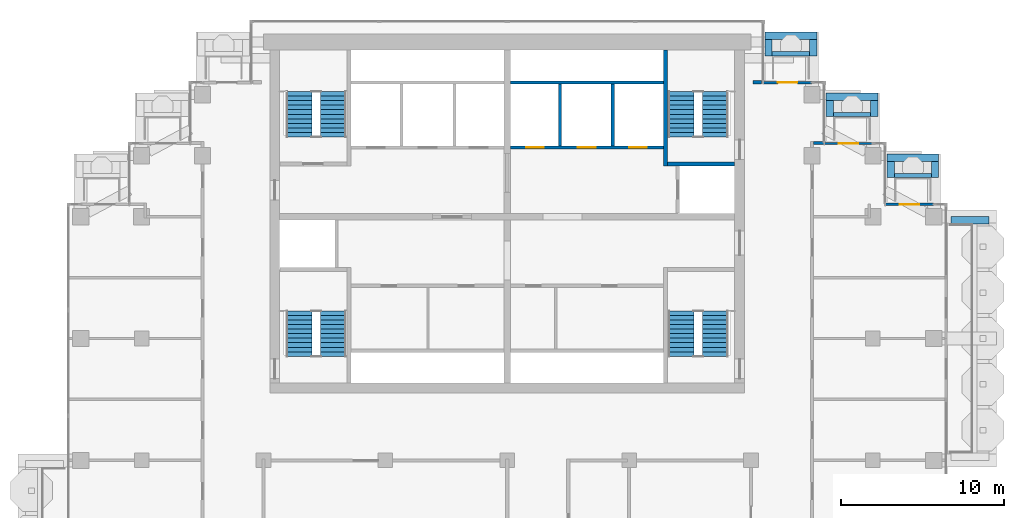
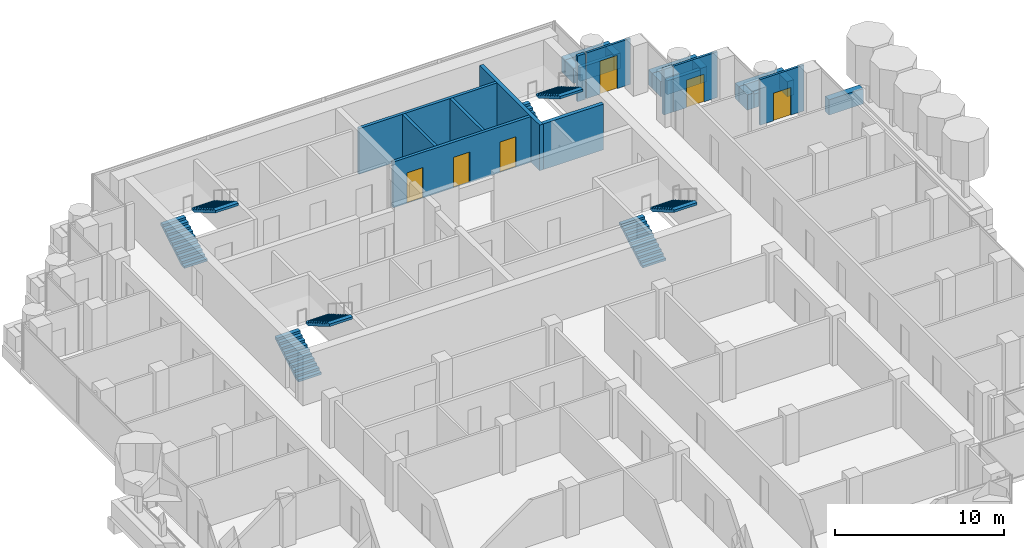
# One storey, part 15 of 19: 24 walls, 8 stair flights, 6 doors, 6 openings, 4 elements without a shape of their own.
"""IFC4 building model written with IfcOpenShell, lengths in metres."""

from ifc_helpers import new_model, si_unit, direction, frame, frame_2d, origin, place, context, subcontext, project, spatial, polyline, rectangle, outline, extrude, material, layer, layer_set, type_object, element, fill, aggregate, save


model = new_model("IFC4")

# Units and contexts
model_context = context("Model", 3, precision=1e-05, world=origin(), true_north=direction((0.0, 1.0)))
body_context = subcontext(model_context, "Body", "Model", "MODEL_VIEW")
ifc_project = project(units=[si_unit("LENGTHUNIT", "METRE"), si_unit("AREAUNIT", "SQUARE_METRE"), si_unit("VOLUMEUNIT", "CUBIC_METRE"), si_unit("PLANEANGLEUNIT", "RADIAN"), si_unit("MASSUNIT", "GRAM", prefix="KILO")], contexts=[model_context])

# Site, building, storey
site_placement = place(None, origin())
site = spatial("IfcSite", under=ifc_project, at=site_placement, CompositionType="ELEMENT")
building_placement = place(site_placement, origin())
building = spatial("IfcBuilding", under=site, at=building_placement, Name="Pilkhan Gate Tower", CompositionType="ELEMENT")
storey_placement = place(building_placement, frame((0.0, 0.0, 224.699951171875)))
storey = spatial("IfcBuildingStorey", under=building, at=storey_placement, Name="L58", CompositionType="ELEMENT", Elevation=224.699951171875)

# Walls
ifc_material_1 = material(Name="Concrete C40/50", Category="concrete")
ifc_layer_1 = layer(ifc_material_1, 0.25)
ifc_layer_set_1 = layer_set([ifc_layer_1], Name="Balcony planter BP250")
wall_type_1 = type_object("IfcWallType", Name="Balcony planter BP250", PredefinedType="USERDEFINED", material=ifc_layer_set_1)
wall_1_placement = place(storey_placement, frame((91.300048828125, 92.52490234375, 0.0), z_axis=(0.0, 0.0, 1.0), x_axis=(1.0, 0.0, 0.0)))
element("IfcWall", 1, at=wall_1_placement, inside=storey, type_object=wall_type_1, Name="Balcony planter L58 N", ObjectType="BALCONY PLANTER", PredefinedType="USERDEFINED", context=body_context, shape_type="SweptSolid", body=[
    extrude(rectangle(XDim=2.300048828125, YDim=0.25, at=frame_2d((1.14990234375, 0.0))), origin(), (0.0, 0.0, 1.0), 1.0),
])
for number, where, z_axis, x_axis, name in (
    (2, (95.070068359375, 88.77490234375, 0.0), (0.0, 0.0, 1.0), (1.0, 0.0, 0.0), "Balcony planter L58 N"),
    (3, (98.820068359375, 85.02490234375, 0.0), (0.0, 0.0, 1.0), (1.0, 0.0, 0.0), "Balcony planter L58 N"),
):
    element("IfcWall", number, at=place(storey_placement, frame(where, z_axis=z_axis, x_axis=x_axis)), inside=storey, type_object=wall_type_1, Name=name, ObjectType="BALCONY PLANTER", PredefinedType="USERDEFINED", context=body_context, shape_type="SweptSolid", body=[
        extrude(rectangle(XDim=2.280029296875, YDim=0.25, at=frame_2d((1.14013671875, 0.0))), origin(), (0.0, 0.0, 1.0), 1.0),
    ])
ifc_material_2 = material(Name="Board-marked Concrete C40/50", Category="concrete")
ifc_layer_2 = layer(ifc_material_2, 0.449951171875)
ifc_layer_set_2 = layer_set([ifc_layer_2], Name="Balcony planter lip BL450")
wall_type_2 = type_object("IfcWallType", Name="Balcony planter lip BL450", PredefinedType="USERDEFINED", material=ifc_layer_set_2)
wall_2_placement = place(storey_placement, frame((102.300048828125, 82.27490234375, 0.0), z_axis=(0.0, 0.0, 1.0), x_axis=(1.0, 0.0, 0.0)))
element("IfcWall", 4, at=wall_2_placement, inside=storey, type_object=wall_type_2, Name="Balcony planter L58 E", ObjectType="BALCONY PLANTER", PredefinedType="USERDEFINED", context=body_context, shape_type="SweptSolid", body=[
    extrude(rectangle(XDim=2.349853515625, YDim=0.449951171875, at=frame_2d((1.1748046875, 0.0))), origin(), (0.0, 0.0, 1.0), 1.10009765625),
])
wall_3_placement = place(storey_placement, frame((90.85009765625, 93.625, 0.0), z_axis=(0.0, 0.0, 1.0), x_axis=(1.0, 0.0, 0.0)))
element("IfcWall", 5, at=wall_3_placement, inside=storey, type_object=wall_type_2, Name="Balcony planter L58 N", ObjectType="BALCONY PLANTER", PredefinedType="USERDEFINED", context=body_context, shape_type="SweptSolid", body=[
    extrude(rectangle(XDim=3.199951171875, YDim=0.449951171875, at=frame_2d((1.60009765625, 0.0))), origin(), (0.0, 0.0, 1.0), 1.10009765625),
])
for number, where, z_axis, x_axis, name in (
    (6, (91.074951171875, 92.39990234375, 0.0), (0.0, 0.0, 1.0), (0.0, 1.0, 0.0), "Balcony planter L58 N"),
    (7, (93.824951171875, 92.39990234375, 0.0), (0.0, 0.0, 1.0), (0.0, 1.0, 0.0), "Balcony planter L58 N"),
):
    element("IfcWall", number, at=place(storey_placement, frame(where, z_axis=z_axis, x_axis=x_axis)), inside=storey, type_object=wall_type_2, Name=name, ObjectType="BALCONY PLANTER", PredefinedType="USERDEFINED", context=body_context, shape_type="SweptSolid", body=[
        extrude(rectangle(XDim=1.0, YDim=0.449951171875, at=frame_2d((0.5, 0.0))), origin(), (0.0, 0.0, 1.0), 1.10009765625),
    ])
wall_4_placement = place(storey_placement, frame((94.6201171875, 89.875, 0.0), z_axis=(0.0, 0.0, 1.0), x_axis=(1.0, 0.0, 0.0)))
element("IfcWall", 8, at=wall_4_placement, inside=storey, type_object=wall_type_2, Name="Balcony planter L58 N", ObjectType="BALCONY PLANTER", PredefinedType="USERDEFINED", context=body_context, shape_type="SweptSolid", body=[
    extrude(rectangle(XDim=3.179931640625, YDim=0.449951171875, at=frame_2d((1.58984375, 0.0))), origin(), (0.0, 0.0, 1.0), 1.10009765625),
])
for number, where, z_axis, x_axis, name in (
    (9, (94.844970703125, 88.64990234375, 0.0), (0.0, 0.0, 1.0), (0.0, 1.0, 0.0), "Balcony planter L58 N"),
    (10, (97.574951171875, 88.64990234375, 0.0), (0.0, 0.0, 1.0), (0.0, 1.0, 0.0), "Balcony planter L58 N"),
):
    element("IfcWall", number, at=place(storey_placement, frame(where, z_axis=z_axis, x_axis=x_axis)), inside=storey, type_object=wall_type_2, Name=name, ObjectType="BALCONY PLANTER", PredefinedType="USERDEFINED", context=body_context, shape_type="SweptSolid", body=[
        extrude(rectangle(XDim=1.0, YDim=0.449951171875, at=frame_2d((0.5, 0.0))), origin(), (0.0, 0.0, 1.0), 1.10009765625),
    ])
wall_5_placement = place(storey_placement, frame((98.3701171875, 86.125, 0.0), z_axis=(0.0, 0.0, 1.0), x_axis=(1.0, 0.0, 0.0)))
element("IfcWall", 11, at=wall_5_placement, inside=storey, type_object=wall_type_2, Name="Balcony planter L58 N", ObjectType="BALCONY PLANTER", PredefinedType="USERDEFINED", context=body_context, shape_type="SweptSolid", body=[
    extrude(rectangle(XDim=3.179931640625, YDim=0.449951171875, at=frame_2d((1.58984375, 0.0))), origin(), (0.0, 0.0, 1.0), 1.10009765625),
])
for number, where, z_axis, x_axis, name in (
    (12, (98.594970703125, 84.89990234375, 0.0), (0.0, 0.0, 1.0), (0.0, 1.0, 0.0), "Balcony planter L58 N"),
    (13, (101.324951171875, 84.89990234375, 0.0), (0.0, 0.0, 1.0), (0.0, 1.0, 0.0), "Balcony planter L58 N"),
):
    element("IfcWall", number, at=place(storey_placement, frame(where, z_axis=z_axis, x_axis=x_axis)), inside=storey, type_object=wall_type_2, Name=name, ObjectType="BALCONY PLANTER", PredefinedType="USERDEFINED", context=body_context, shape_type="SweptSolid", body=[
        extrude(rectangle(XDim=1.0, YDim=0.449951171875, at=frame_2d((0.5, 0.0))), origin(), (0.0, 0.0, 1.0), 1.10009765625),
    ])
ifc_material_3 = material(Name="Dense blockwork", Category="masonry")
ifc_layer_3 = layer(ifc_material_3, 0.199951171875)
ifc_layer_set_3 = layer_set([ifc_layer_3], Name="Corridor wall FW200")
wall_type_3 = type_object("IfcWallType", Name="Corridor wall FW200", PredefinedType="PARTITIONING", material=ifc_layer_set_3)
wall_6_placement = place(storey_placement, frame((93.85009765625, 87.030029296875, 0.0), z_axis=(0.0, 0.0, 1.0), x_axis=(1.0, 0.0, 0.0)))
element("IfcWall", 14, at=wall_6_placement, inside=storey, type_object=wall_type_3, Name="Partition L58", PredefinedType="PARTITIONING", context=body_context, shape_type="SweptSolid", body=[
    extrude(rectangle(XDim=0.639892578125, YDim=0.199951171875, at=frame_2d((0.31982421875, 0.0))), origin(), (0.0, 0.0, 1.0), 3.300048828125),
])
wall_7_placement = place(storey_placement, frame((90.1201171875, 90.764892578125, 0.0), z_axis=(0.0, 0.0, 1.0), x_axis=(1.0, 0.0, 0.0)))
element("IfcWall", 15, at=wall_7_placement, inside=storey, type_object=wall_type_3, Name="Partition L58", PredefinedType="PARTITIONING", context=body_context, shape_type="SweptSolid", body=[
    extrude(rectangle(XDim=0.52490234375, YDim=0.199951171875, at=frame_2d((0.262451171875, 0.0))), origin(), (0.0, 0.0, 1.0), 3.300048828125),
])

# Wall, opening, door
ifc_material_4 = material(Name="Pale anodised aluminium, clear laminated glazing", Category="aluminium")
ifc_layer_4 = layer(ifc_material_4, 0.14990234375)
ifc_layer_set_4 = layer_set([ifc_layer_4], Name="Facade infill wall IW150")
wall_type_4 = type_object("IfcWallType", Name="Facade infill wall IW150", PredefinedType="SOLIDWALL", material=ifc_layer_set_4)
wall_8_placement = place(storey_placement, frame((98.25, 83.25, 0.0), z_axis=(0.0, 0.0, 1.0), x_axis=(1.0, 0.0, 0.0)))
wall_8 = element("IfcWall", 16, at=wall_8_placement, inside=storey, type_object=wall_type_4, Name="Infill wall L58 N", PredefinedType="SOLIDWALL", context=body_context, shape_type="SweptSolid", body=[
    extrude(rectangle(XDim=3.0, YDim=0.14990234375, at=frame_2d((1.5, 0.0))), origin(), (0.0, 0.0, 1.0), 3.300048828125),
])
opening_1_placement = place(wall_8_placement, frame((0.89990234375, 0.0, 0.0)))
opening_1 = element("IfcOpeningElement", 17, at=opening_1_placement, cuts=wall_8, Name="Opening D1L", PredefinedType="OPENING", context=body_context, shape_type="SweptSolid", body=[
    extrude(rectangle(XDim=1.199951171875, YDim=2.0, at=frame_2d((0.60009765625, 1.0))), frame((0.0, 0.0849609375, 0.0), z_axis=(0.0, -1.0, 0.0), x_axis=(1.0, 0.0, 0.0)), (0.0, 0.0, 1.0), 0.169921875),
])
ifc_material_5 = material(Name="Pale anodised aluminium, clear glazing", Category="aluminium")
door_type_1 = type_object("IfcDoorType", Name="Balcony door D1L 1200x2000", OperationType="SINGLE_SWING_LEFT", PredefinedType="DOOR", material=ifc_material_5)
door_1_placement = place(opening_1_placement, origin())
door_1 = element("IfcDoor", 18, at=door_1_placement, inside=storey, type_object=door_type_1, Name="Balcony door L58", OperationType="SINGLE_SWING_LEFT", OverallHeight=2.0, OverallWidth=1.199951171875, PredefinedType="DOOR", context=body_context, shape_type="SweptSolid", body=[
    extrude(rectangle(XDim=1.199951171875, YDim=2.0, at=frame_2d((0.60009765625, 1.0))), frame((0.0, 0.02490234375, 0.0), z_axis=(0.0, -1.0, 0.0), x_axis=(1.0, 0.0, 0.0)), (0.0, 0.0, 1.0), 0.050048828125),
])
fill(opening_1, door_1)

wall_9_placement = place(storey_placement, frame((94.5, 87.0, 0.0), z_axis=(0.0, 0.0, 1.0), x_axis=(1.0, 0.0, 0.0)))
wall_9 = element("IfcWall", 19, at=wall_9_placement, inside=storey, type_object=wall_type_4, Name="Infill wall L58 N", PredefinedType="SOLIDWALL", context=body_context, shape_type="SweptSolid", body=[
    extrude(rectangle(XDim=3.0, YDim=0.14990234375, at=frame_2d((1.5, 0.0))), origin(), (0.0, 0.0, 1.0), 3.300048828125),
])
opening_2_placement = place(wall_9_placement, frame((0.89990234375, 0.0, 0.0)))
opening_2 = element("IfcOpeningElement", 20, at=opening_2_placement, cuts=wall_9, Name="Opening D1L", PredefinedType="OPENING", context=body_context, shape_type="SweptSolid", body=[
    extrude(rectangle(XDim=1.199951171875, YDim=2.0, at=frame_2d((0.60009765625, 1.0))), frame((0.0, 0.0849609375, 0.0), z_axis=(0.0, -1.0, 0.0), x_axis=(1.0, 0.0, 0.0)), (0.0, 0.0, 1.0), 0.169921875),
])
door_2_placement = place(opening_2_placement, origin())
door_2 = element("IfcDoor", 21, at=door_2_placement, inside=storey, type_object=door_type_1, Name="Balcony door L58", OperationType="SINGLE_SWING_LEFT", OverallHeight=2.0, OverallWidth=1.199951171875, PredefinedType="DOOR", context=body_context, shape_type="SweptSolid", body=[
    extrude(rectangle(XDim=1.199951171875, YDim=2.0, at=frame_2d((0.60009765625, 1.0))), frame((0.0, 0.02490234375, 0.0), z_axis=(0.0, -1.0, 0.0), x_axis=(1.0, 0.0, 0.0)), (0.0, 0.0, 1.0), 0.050048828125),
])
fill(opening_2, door_2)

wall_10_placement = place(storey_placement, frame((90.75, 90.75, 0.0), z_axis=(0.0, 0.0, 1.0), x_axis=(1.0, 0.0, 0.0)))
wall_10 = element("IfcWall", 22, at=wall_10_placement, inside=storey, type_object=wall_type_4, Name="Infill wall L58 N", PredefinedType="SOLIDWALL", context=body_context, shape_type="SweptSolid", body=[
    extrude(rectangle(XDim=3.0, YDim=0.14990234375, at=frame_2d((1.5, 0.0))), origin(), (0.0, 0.0, 1.0), 3.300048828125),
])
opening_3_placement = place(wall_10_placement, frame((0.89990234375, 0.0, 0.0)))
opening_3 = element("IfcOpeningElement", 23, at=opening_3_placement, cuts=wall_10, Name="Opening D1", PredefinedType="OPENING", context=body_context, shape_type="SweptSolid", body=[
    extrude(rectangle(XDim=1.199951171875, YDim=2.39990234375, at=frame_2d((0.60009765625, 1.199951171875))), frame((0.0, 0.0849609375, 0.0), z_axis=(0.0, -1.0, 0.0), x_axis=(1.0, 0.0, 0.0)), (0.0, 0.0, 1.0), 0.169921875),
])
door_type_2 = type_object("IfcDoorType", Name="Balcony door D1 1200x2400", OperationType="SINGLE_SWING_LEFT", PredefinedType="DOOR", material=ifc_material_5)
door_3_placement = place(opening_3_placement, origin())
door_3 = element("IfcDoor", 24, at=door_3_placement, inside=storey, type_object=door_type_2, Name="Balcony door L58", OperationType="SINGLE_SWING_LEFT", OverallHeight=2.39990234375, OverallWidth=1.199951171875, PredefinedType="DOOR", context=body_context, shape_type="SweptSolid", body=[
    extrude(rectangle(XDim=1.199951171875, YDim=2.39990234375, at=frame_2d((0.60009765625, 1.199951171875))), frame((0.0, 0.02490234375, 0.0), z_axis=(0.0, -1.0, 0.0), x_axis=(1.0, 0.0, 0.0)), (0.0, 0.0, 1.0), 0.050048828125),
])
fill(opening_3, door_3)

# Wall, openings, doors
ifc_material_6 = material(Name="Reinforced blockwork shaft wall, 120 minute fire resisting", Category="masonry")
ifc_layer_5 = layer(ifc_material_6, 0.199951171875)
ifc_layer_set_5 = layer_set([ifc_layer_5], Name="Shaft wall SW200")
wall_type_5 = type_object("IfcWallType", Name="Shaft wall SW200", PredefinedType="PARTITIONING", material=ifc_layer_set_5)
wall_11_placement = place(storey_placement, frame((75.2099609375, 86.75, 0.0), z_axis=(0.0, 0.0, 1.0), x_axis=(1.0, 0.0, 0.0)))
wall_11 = element("IfcWall", 25, at=wall_11_placement, inside=storey, type_object=wall_type_5, Name="Partition L58", PredefinedType="PARTITIONING", context=body_context, shape_type="SweptSolid", body=[
    extrude(rectangle(XDim=9.4150390625, YDim=0.199951171875, at=frame_2d((4.70751953125, 0.0))), origin(), (0.0, 0.0, 1.0), 3.300048828125),
])
opening_4_placement = place(wall_11_placement, frame((0.949951171875, 0.0, 0.0)))
opening_4 = element("IfcOpeningElement", 26, at=opening_4_placement, cuts=wall_11, Name="Opening LD", PredefinedType="OPENING", context=body_context, shape_type="SweptSolid", body=[
    extrude(rectangle(XDim=1.10009765625, YDim=2.199951171875, at=frame_2d((0.550048828125, 1.10009765625))), frame((0.0, 0.10986328125, 0.0), z_axis=(0.0, -1.0, 0.0), x_axis=(1.0, 0.0, 0.0)), (0.0, 0.0, 1.0), 0.219970703125),
])
opening_5_placement = place(wall_11_placement, frame((4.139892578125, 0.0, 0.0)))
opening_5 = element("IfcOpeningElement", 27, at=opening_5_placement, cuts=wall_11, Name="Opening LD", PredefinedType="OPENING", context=body_context, shape_type="SweptSolid", body=[
    extrude(rectangle(XDim=1.10009765625, YDim=2.199951171875, at=frame_2d((0.550048828125, 1.10009765625))), frame((0.0, 0.10986328125, 0.0), z_axis=(0.0, -1.0, 0.0), x_axis=(1.0, 0.0, 0.0)), (0.0, 0.0, 1.0), 0.219970703125),
])
opening_6_placement = place(wall_11_placement, frame((7.2900390625, 0.0, 0.0)))
opening_6 = element("IfcOpeningElement", 28, at=opening_6_placement, cuts=wall_11, Name="Opening LD", PredefinedType="OPENING", context=body_context, shape_type="SweptSolid", body=[
    extrude(rectangle(XDim=1.10009765625, YDim=2.199951171875, at=frame_2d((0.550048828125, 1.10009765625))), frame((0.0, 0.10986328125, 0.0), z_axis=(0.0, -1.0, 0.0), x_axis=(1.0, 0.0, 0.0)), (0.0, 0.0, 1.0), 0.219970703125),
])
ifc_material_7 = material(Name="Stainless steel centre-opening landing door, 120 minute fire resisting", Category="steel")
door_type_3 = type_object("IfcDoorType", Name="Lift landing door LD 1100x2200", OperationType="DOUBLE_DOOR_SLIDING", PredefinedType="DOOR", material=ifc_material_7)
door_4_placement = place(opening_4_placement, origin())
door_4 = element("IfcDoor", 29, at=door_4_placement, inside=storey, type_object=door_type_3, Name="Landing door HR1", OperationType="DOUBLE_DOOR_SLIDING", OverallHeight=2.199951171875, OverallWidth=1.10009765625, PredefinedType="DOOR", context=body_context, shape_type="SweptSolid", body=[
    extrude(rectangle(XDim=1.10009765625, YDim=2.199951171875, at=frame_2d((0.550048828125, 1.10009765625))), frame((0.0, 0.02490234375, 0.0), z_axis=(0.0, -1.0, 0.0), x_axis=(1.0, 0.0, 0.0)), (0.0, 0.0, 1.0), 0.050048828125),
])
fill(opening_4, door_4)
door_5_placement = place(opening_5_placement, origin())
door_5 = element("IfcDoor", 30, at=door_5_placement, inside=storey, type_object=door_type_3, Name="Landing door HR2", OperationType="DOUBLE_DOOR_SLIDING", OverallHeight=2.199951171875, OverallWidth=1.10009765625, PredefinedType="DOOR", context=body_context, shape_type="SweptSolid", body=[
    extrude(rectangle(XDim=1.10009765625, YDim=2.199951171875, at=frame_2d((0.550048828125, 1.10009765625))), frame((0.0, 0.02490234375, 0.0), z_axis=(0.0, -1.0, 0.0), x_axis=(1.0, 0.0, 0.0)), (0.0, 0.0, 1.0), 0.050048828125),
])
fill(opening_5, door_5)
door_6_placement = place(opening_6_placement, origin())
door_6 = element("IfcDoor", 31, at=door_6_placement, inside=storey, type_object=door_type_3, Name="Landing door HR3", OperationType="DOUBLE_DOOR_SLIDING", OverallHeight=2.199951171875, OverallWidth=1.10009765625, PredefinedType="DOOR", context=body_context, shape_type="SweptSolid", body=[
    extrude(rectangle(XDim=1.10009765625, YDim=2.199951171875, at=frame_2d((0.550048828125, 1.10009765625))), frame((0.0, 0.02490234375, 0.0), z_axis=(0.0, -1.0, 0.0), x_axis=(1.0, 0.0, 0.0)), (0.0, 0.0, 1.0), 0.050048828125),
])
fill(opening_6, door_6)

# Walls
wall_12_placement = place(storey_placement, frame((75.2099609375, 90.75, 0.0), z_axis=(0.0, 0.0, 1.0), x_axis=(1.0, 0.0, 0.0)))
element("IfcWall", 32, at=wall_12_placement, inside=storey, type_object=wall_type_5, Name="Partition L58", PredefinedType="PARTITIONING", context=body_context, shape_type="SweptSolid", body=[
    extrude(rectangle(XDim=9.4150390625, YDim=0.199951171875, at=frame_2d((4.70751953125, 0.0))), origin(), (0.0, 0.0, 1.0), 3.300048828125),
])
for number, where, z_axis, x_axis, name in (
    (33, (78.25, 86.85009765625, 0.0), (0.0, 0.0, 1.0), (0.0, 1.0, 0.0), "Partition L58"),
    (34, (81.5, 86.85009765625, 0.0), (0.0, 0.0, 1.0), (0.0, 1.0, 0.0), "Partition L58"),
):
    element("IfcWall", number, at=place(storey_placement, frame(where, z_axis=z_axis, x_axis=x_axis)), inside=storey, type_object=wall_type_5, Name=name, PredefinedType="PARTITIONING", context=body_context, shape_type="SweptSolid", body=[
        extrude(rectangle(XDim=3.7998046875, YDim=0.199951171875, at=frame_2d((1.89990234375, 0.0))), origin(), (0.0, 0.0, 1.0), 3.300048828125),
    ])
ifc_material_8 = material(Name="Reinforced blockwork, 120 minute fire resisting", Category="masonry")
ifc_layer_6 = layer(ifc_material_8, 0.25)
ifc_layer_set_6 = layer_set([ifc_layer_6], Name="Stair enclosure wall SE250")
wall_type_6 = type_object("IfcWallType", Name="Stair enclosure wall SE250", PredefinedType="PARTITIONING", material=ifc_layer_set_6)
wall_13_placement = place(storey_placement, frame((84.875, 85.75, 0.0), z_axis=(0.0, 0.0, 1.0), x_axis=(1.0, 0.0, 0.0)))
element("IfcWall", 35, at=wall_13_placement, inside=storey, type_object=wall_type_6, Name="Partition L58", PredefinedType="PARTITIONING", context=body_context, shape_type="SweptSolid", body=[
    extrude(rectangle(XDim=4.114990234375, YDim=0.25, at=frame_2d((2.0576171875, 0.0))), origin(), (0.0, 0.0, 1.0), 3.300048828125),
])
wall_14_placement = place(storey_placement, frame((84.75, 85.625, 0.0), z_axis=(0.0, 0.0, 1.0), x_axis=(0.0, 1.0, 0.0)))
element("IfcWall", 36, at=wall_14_placement, inside=storey, type_object=wall_type_6, Name="Partition L58", PredefinedType="PARTITIONING", context=body_context, shape_type="SweptSolid", body=[
    extrude(rectangle(XDim=7.114990234375, YDim=0.25, at=frame_2d((3.5576171875, 0.0))), origin(), (0.0, 0.0, 1.0), 3.300048828125),
])

# Stair, stair flights
ifc_material_9 = material(Name="Concrete C40/50 precast", Category="concrete")
stair_type_1 = type_object("IfcStairType", Name="Stair ST1 164x280", PredefinedType="HALF_TURN_STAIR", material=ifc_material_9)
stair_1_placement = place(storey_placement, origin())
stair_1 = element("IfcStair", 37, at=stair_1_placement, inside=storey, type_object=stair_type_1, Name="Stair ST1 L58", PredefinedType="HALF_TURN_STAIR")
stair_flight_type_1 = type_object("IfcStairFlightType", Name="Stair flight ST1 164x280x11", PredefinedType="STRAIGHT", material=ifc_material_9)
stair_flight_1_placement = place(storey_placement, frame((85.68994140625, 73.89990234375, 0.0), z_axis=(0.0, 0.0, 1.0), x_axis=(0.0, 1.0, 0.0)))
stair_flight_1 = element("IfcStairFlight", 38, at=stair_flight_1_placement, type_object=stair_flight_type_1, Name="ST1 flight 1", NumberOfRisers=11, NumberOfTreads=10, PredefinedType="STRAIGHT", RiserHeight=0.163636364, TreadLength=0.28, context=body_context, shape_type="SweptSolid", body=[
    extrude(outline(polyline([(0.0, 0.0), (0.0, 0.16357421875), (0.280029296875, 0.16357421875), (0.280029296875, 0.327392578125), (0.56005859375, 0.327392578125), (0.56005859375, 0.490966796875), (0.840087890625, 0.490966796875), (0.840087890625, 0.654541015625), (1.1201171875, 0.654541015625), (1.1201171875, 0.818115234375), (1.39990234375, 0.818115234375), (1.39990234375, 0.98193359375), (1.679931640625, 0.98193359375), (1.679931640625, 1.1455078125), (1.9599609375, 1.1455078125), (1.9599609375, 1.30908203125), (2.239990234375, 1.30908203125), (2.239990234375, 1.47265625), (2.52001953125, 1.47265625), (2.52001953125, 1.636474609375), (2.800048828125, 1.636474609375), (2.800048828125, 1.800048828125), (2.800048828125, 1.462646484375), (0.297119140625, 0.0), (0.0, 0.0)])), frame((0.0, 0.7900390625, 0.0), z_axis=(0.0, -1.0, 0.0), x_axis=(1.0, 0.0, 0.0)), (0.0, 0.0, 1.0), 1.580078125),
])
stair_flight_2_placement = place(storey_placement, frame((87.81005859375, 76.699951171875, 1.800048828125), z_axis=(0.0, 0.0, 1.0), x_axis=(0.0, -1.0, 0.0)))
stair_flight_2 = element("IfcStairFlight", 39, at=stair_flight_2_placement, type_object=stair_flight_type_1, Name="ST1 flight 2", NumberOfRisers=11, NumberOfTreads=10, PredefinedType="STRAIGHT", RiserHeight=0.163636364, TreadLength=0.28, context=body_context, shape_type="SweptSolid", body=[
    extrude(outline(polyline([(0.0, 0.0), (0.0, 0.16357421875), (0.280029296875, 0.16357421875), (0.280029296875, 0.327392578125), (0.56005859375, 0.327392578125), (0.56005859375, 0.490966796875), (0.840087890625, 0.490966796875), (0.840087890625, 0.654541015625), (1.1201171875, 0.654541015625), (1.1201171875, 0.818115234375), (1.39990234375, 0.818115234375), (1.39990234375, 0.98193359375), (1.679931640625, 0.98193359375), (1.679931640625, 1.1455078125), (1.9599609375, 1.1455078125), (1.9599609375, 1.30908203125), (2.239990234375, 1.30908203125), (2.239990234375, 1.47265625), (2.52001953125, 1.47265625), (2.52001953125, 1.636474609375), (2.800048828125, 1.636474609375), (2.800048828125, 1.800048828125), (2.800048828125, 1.462646484375), (0.297119140625, 0.0), (0.0, 0.0)])), frame((0.0, 0.7900390625, 0.0), z_axis=(0.0, -1.0, 0.0), x_axis=(1.0, 0.0, 0.0)), (0.0, 0.0, 1.0), 1.580078125),
])
aggregate(stair_1, [stair_flight_1, stair_flight_2])

stair_type_2 = type_object("IfcStairType", Name="Stair ST2 164x280", PredefinedType="HALF_TURN_STAIR", material=ifc_material_9)
stair_2_placement = place(storey_placement, origin())
stair_2 = element("IfcStair", 40, at=stair_2_placement, inside=storey, type_object=stair_type_2, Name="Stair ST2 L58", PredefinedType="HALF_TURN_STAIR")
stair_flight_type_2 = type_object("IfcStairFlightType", Name="Stair flight ST2 164x280x11", PredefinedType="STRAIGHT", material=ifc_material_9)
stair_flight_3_placement = place(storey_placement, frame((62.18994140625, 73.89990234375, 0.0), z_axis=(0.0, 0.0, 1.0), x_axis=(0.0, 1.0, 0.0)))
stair_flight_3 = element("IfcStairFlight", 41, at=stair_flight_3_placement, type_object=stair_flight_type_2, Name="ST2 flight 1", NumberOfRisers=11, NumberOfTreads=10, PredefinedType="STRAIGHT", RiserHeight=0.163636364, TreadLength=0.28, context=body_context, shape_type="SweptSolid", body=[
    extrude(outline(polyline([(0.0, 0.0), (0.0, 0.16357421875), (0.280029296875, 0.16357421875), (0.280029296875, 0.327392578125), (0.56005859375, 0.327392578125), (0.56005859375, 0.490966796875), (0.840087890625, 0.490966796875), (0.840087890625, 0.654541015625), (1.1201171875, 0.654541015625), (1.1201171875, 0.818115234375), (1.39990234375, 0.818115234375), (1.39990234375, 0.98193359375), (1.679931640625, 0.98193359375), (1.679931640625, 1.1455078125), (1.9599609375, 1.1455078125), (1.9599609375, 1.30908203125), (2.239990234375, 1.30908203125), (2.239990234375, 1.47265625), (2.52001953125, 1.47265625), (2.52001953125, 1.636474609375), (2.800048828125, 1.636474609375), (2.800048828125, 1.800048828125), (2.800048828125, 1.462646484375), (0.297119140625, 0.0), (0.0, 0.0)])), frame((0.0, 0.7900390625, 0.0), z_axis=(0.0, -1.0, 0.0), x_axis=(1.0, 0.0, 0.0)), (0.0, 0.0, 1.0), 1.580078125),
])
stair_flight_4_placement = place(storey_placement, frame((64.31005859375, 76.699951171875, 1.800048828125), z_axis=(0.0, 0.0, 1.0), x_axis=(0.0, -1.0, 0.0)))
stair_flight_4 = element("IfcStairFlight", 42, at=stair_flight_4_placement, type_object=stair_flight_type_2, Name="ST2 flight 2", NumberOfRisers=11, NumberOfTreads=10, PredefinedType="STRAIGHT", RiserHeight=0.163636364, TreadLength=0.28, context=body_context, shape_type="SweptSolid", body=[
    extrude(outline(polyline([(0.0, 0.0), (0.0, 0.16357421875), (0.280029296875, 0.16357421875), (0.280029296875, 0.327392578125), (0.56005859375, 0.327392578125), (0.56005859375, 0.490966796875), (0.840087890625, 0.490966796875), (0.840087890625, 0.654541015625), (1.1201171875, 0.654541015625), (1.1201171875, 0.818115234375), (1.39990234375, 0.818115234375), (1.39990234375, 0.98193359375), (1.679931640625, 0.98193359375), (1.679931640625, 1.1455078125), (1.9599609375, 1.1455078125), (1.9599609375, 1.30908203125), (2.239990234375, 1.30908203125), (2.239990234375, 1.47265625), (2.52001953125, 1.47265625), (2.52001953125, 1.636474609375), (2.800048828125, 1.636474609375), (2.800048828125, 1.800048828125), (2.800048828125, 1.462646484375), (0.297119140625, 0.0), (0.0, 0.0)])), frame((0.0, 0.7900390625, 0.0), z_axis=(0.0, -1.0, 0.0), x_axis=(1.0, 0.0, 0.0)), (0.0, 0.0, 1.0), 1.580078125),
])
aggregate(stair_2, [stair_flight_3, stair_flight_4])

stair_type_3 = type_object("IfcStairType", Name="Stair ST3 164x280", PredefinedType="HALF_TURN_STAIR", material=ifc_material_9)
stair_3_placement = place(storey_placement, origin())
stair_3 = element("IfcStair", 43, at=stair_3_placement, inside=storey, type_object=stair_type_3, Name="Stair ST3 L58", PredefinedType="HALF_TURN_STAIR")
stair_flight_type_3 = type_object("IfcStairFlightType", Name="Stair flight ST3 164x280x11", PredefinedType="STRAIGHT", material=ifc_material_9)
stair_flight_5_placement = place(storey_placement, frame((62.18994140625, 87.39990234375, 0.0), z_axis=(0.0, 0.0, 1.0), x_axis=(0.0, 1.0, 0.0)))
stair_flight_5 = element("IfcStairFlight", 44, at=stair_flight_5_placement, type_object=stair_flight_type_3, Name="ST3 flight 1", NumberOfRisers=11, NumberOfTreads=10, PredefinedType="STRAIGHT", RiserHeight=0.163636364, TreadLength=0.28, context=body_context, shape_type="SweptSolid", body=[
    extrude(outline(polyline([(0.0, 0.0), (0.0, 0.16357421875), (0.280029296875, 0.16357421875), (0.280029296875, 0.327392578125), (0.56005859375, 0.327392578125), (0.56005859375, 0.490966796875), (0.840087890625, 0.490966796875), (0.840087890625, 0.654541015625), (1.1201171875, 0.654541015625), (1.1201171875, 0.818115234375), (1.39990234375, 0.818115234375), (1.39990234375, 0.98193359375), (1.679931640625, 0.98193359375), (1.679931640625, 1.1455078125), (1.9599609375, 1.1455078125), (1.9599609375, 1.30908203125), (2.239990234375, 1.30908203125), (2.239990234375, 1.47265625), (2.52001953125, 1.47265625), (2.52001953125, 1.636474609375), (2.800048828125, 1.636474609375), (2.800048828125, 1.800048828125), (2.800048828125, 1.462646484375), (0.297119140625, 0.0), (0.0, 0.0)])), frame((0.0, 0.7900390625, 0.0), z_axis=(0.0, -1.0, 0.0), x_axis=(1.0, 0.0, 0.0)), (0.0, 0.0, 1.0), 1.580078125),
])
stair_flight_6_placement = place(storey_placement, frame((64.31005859375, 90.199951171875, 1.800048828125), z_axis=(0.0, 0.0, 1.0), x_axis=(0.0, -1.0, 0.0)))
stair_flight_6 = element("IfcStairFlight", 45, at=stair_flight_6_placement, type_object=stair_flight_type_3, Name="ST3 flight 2", NumberOfRisers=11, NumberOfTreads=10, PredefinedType="STRAIGHT", RiserHeight=0.163636364, TreadLength=0.28, context=body_context, shape_type="SweptSolid", body=[
    extrude(outline(polyline([(0.0, 0.0), (0.0, 0.16357421875), (0.280029296875, 0.16357421875), (0.280029296875, 0.327392578125), (0.56005859375, 0.327392578125), (0.56005859375, 0.490966796875), (0.840087890625, 0.490966796875), (0.840087890625, 0.654541015625), (1.1201171875, 0.654541015625), (1.1201171875, 0.818115234375), (1.39990234375, 0.818115234375), (1.39990234375, 0.98193359375), (1.679931640625, 0.98193359375), (1.679931640625, 1.1455078125), (1.9599609375, 1.1455078125), (1.9599609375, 1.30908203125), (2.239990234375, 1.30908203125), (2.239990234375, 1.47265625), (2.52001953125, 1.47265625), (2.52001953125, 1.636474609375), (2.800048828125, 1.636474609375), (2.800048828125, 1.800048828125), (2.800048828125, 1.462646484375), (0.297119140625, 0.0), (0.0, 0.0)])), frame((0.0, 0.7900390625, 0.0), z_axis=(0.0, -1.0, 0.0), x_axis=(1.0, 0.0, 0.0)), (0.0, 0.0, 1.0), 1.580078125),
])
aggregate(stair_3, [stair_flight_5, stair_flight_6])

stair_type_4 = type_object("IfcStairType", Name="Stair ST4 164x280", PredefinedType="HALF_TURN_STAIR", material=ifc_material_9)
stair_4_placement = place(storey_placement, origin())
stair_4 = element("IfcStair", 46, at=stair_4_placement, inside=storey, type_object=stair_type_4, Name="Stair ST4 L58", PredefinedType="HALF_TURN_STAIR")
stair_flight_type_4 = type_object("IfcStairFlightType", Name="Stair flight ST4 164x280x11", PredefinedType="STRAIGHT", material=ifc_material_9)
stair_flight_7_placement = place(storey_placement, frame((85.68994140625, 87.39990234375, 0.0), z_axis=(0.0, 0.0, 1.0), x_axis=(0.0, 1.0, 0.0)))
stair_flight_7 = element("IfcStairFlight", 47, at=stair_flight_7_placement, type_object=stair_flight_type_4, Name="ST4 flight 1", NumberOfRisers=11, NumberOfTreads=10, PredefinedType="STRAIGHT", RiserHeight=0.163636364, TreadLength=0.28, context=body_context, shape_type="SweptSolid", body=[
    extrude(outline(polyline([(0.0, 0.0), (0.0, 0.16357421875), (0.280029296875, 0.16357421875), (0.280029296875, 0.327392578125), (0.56005859375, 0.327392578125), (0.56005859375, 0.490966796875), (0.840087890625, 0.490966796875), (0.840087890625, 0.654541015625), (1.1201171875, 0.654541015625), (1.1201171875, 0.818115234375), (1.39990234375, 0.818115234375), (1.39990234375, 0.98193359375), (1.679931640625, 0.98193359375), (1.679931640625, 1.1455078125), (1.9599609375, 1.1455078125), (1.9599609375, 1.30908203125), (2.239990234375, 1.30908203125), (2.239990234375, 1.47265625), (2.52001953125, 1.47265625), (2.52001953125, 1.636474609375), (2.800048828125, 1.636474609375), (2.800048828125, 1.800048828125), (2.800048828125, 1.462646484375), (0.297119140625, 0.0), (0.0, 0.0)])), frame((0.0, 0.7900390625, 0.0), z_axis=(0.0, -1.0, 0.0), x_axis=(1.0, 0.0, 0.0)), (0.0, 0.0, 1.0), 1.580078125),
])
stair_flight_8_placement = place(storey_placement, frame((87.81005859375, 90.199951171875, 1.800048828125), z_axis=(0.0, 0.0, 1.0), x_axis=(0.0, -1.0, 0.0)))
stair_flight_8 = element("IfcStairFlight", 48, at=stair_flight_8_placement, type_object=stair_flight_type_4, Name="ST4 flight 2", NumberOfRisers=11, NumberOfTreads=10, PredefinedType="STRAIGHT", RiserHeight=0.163636364, TreadLength=0.28, context=body_context, shape_type="SweptSolid", body=[
    extrude(outline(polyline([(0.0, 0.0), (0.0, 0.16357421875), (0.280029296875, 0.16357421875), (0.280029296875, 0.327392578125), (0.56005859375, 0.327392578125), (0.56005859375, 0.490966796875), (0.840087890625, 0.490966796875), (0.840087890625, 0.654541015625), (1.1201171875, 0.654541015625), (1.1201171875, 0.818115234375), (1.39990234375, 0.818115234375), (1.39990234375, 0.98193359375), (1.679931640625, 0.98193359375), (1.679931640625, 1.1455078125), (1.9599609375, 1.1455078125), (1.9599609375, 1.30908203125), (2.239990234375, 1.30908203125), (2.239990234375, 1.47265625), (2.52001953125, 1.47265625), (2.52001953125, 1.636474609375), (2.800048828125, 1.636474609375), (2.800048828125, 1.800048828125), (2.800048828125, 1.462646484375), (0.297119140625, 0.0), (0.0, 0.0)])), frame((0.0, 0.7900390625, 0.0), z_axis=(0.0, -1.0, 0.0), x_axis=(1.0, 0.0, 0.0)), (0.0, 0.0, 1.0), 1.580078125),
])
aggregate(stair_4, [stair_flight_7, stair_flight_8])

save(model, "model.ifc")
